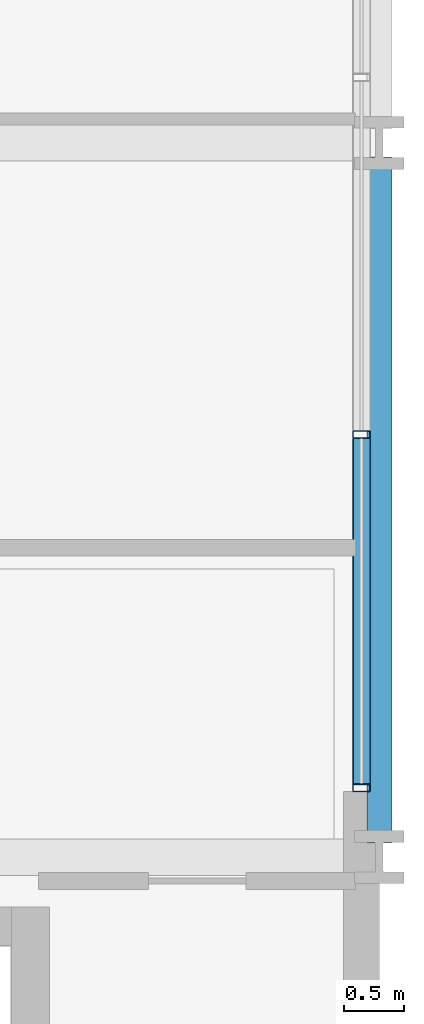
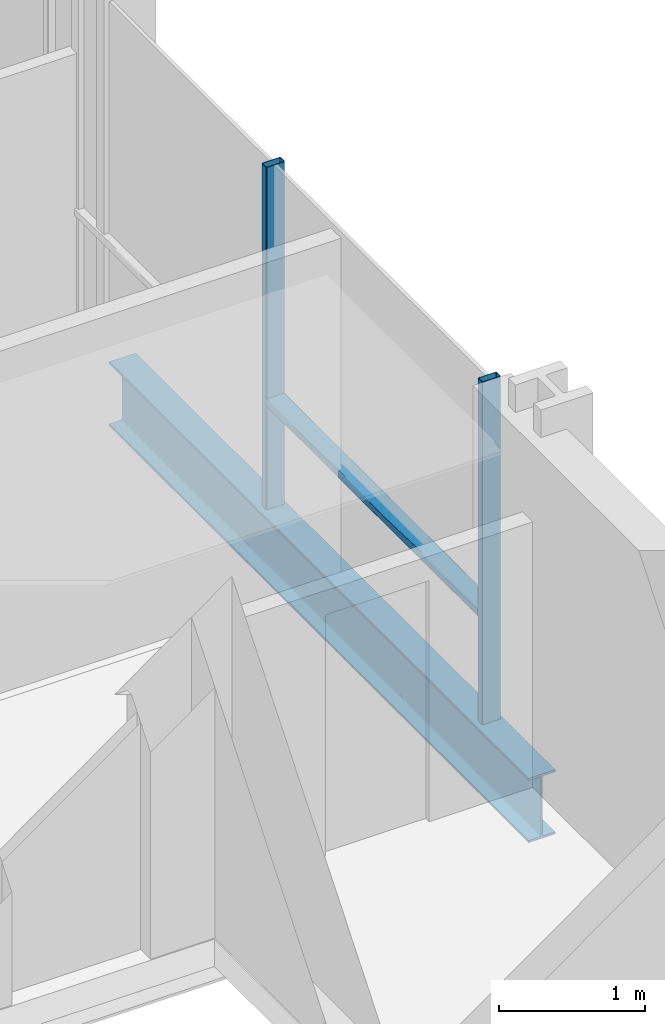
# One storey, part 15 of 40: 3 members, 1 beam, 1 element without a shape of its own.
"""IFC4 building model written with IfcOpenShell, lengths in metres."""

from ifc_helpers import new_model, si_unit, direction, frame, origin, origin_2d, place, context, subcontext, project, spatial, hollow_rectangle, i_section, extrude, material, layer, layer_set, material_profile, profile_set, type_object, element, aggregate, save


model = new_model("IFC4")

# Units and contexts
model_context = context("Model", 3, precision=1e-05, world=origin(), true_north=direction((0.0, 1.0)))
body_context = subcontext(model_context, "Body", "Model", "MODEL_VIEW")
ifc_project = project(units=[si_unit("LENGTHUNIT", "METRE"), si_unit("AREAUNIT", "SQUARE_METRE"), si_unit("VOLUMEUNIT", "CUBIC_METRE"), si_unit("PLANEANGLEUNIT", "RADIAN"), si_unit("MASSUNIT", "GRAM", prefix="KILO")], contexts=[model_context])

# Site, building, storey
site_placement = place(None, origin())
site = spatial("IfcSite", under=ifc_project, at=site_placement, CompositionType="ELEMENT")
building_placement = place(site_placement, origin())
building = spatial("IfcBuilding", under=site, at=building_placement, Name="Brevholm Reach", CompositionType="ELEMENT")
storey_placement = place(building_placement, frame((0.0, 0.0, 37.300048828125)))
storey = spatial("IfcBuildingStorey", under=building, at=storey_placement, Name="L09", CompositionType="ELEMENT", Elevation=37.300048828125)

# Beam
ifc_material_1 = material(Name="Structural Steel S355J2", Category="steel")
ifc_material_profile_1 = material_profile(ifc_material_1, i_section(OverallWidth=0.210693359375, OverallDepth=0.53955078125, WebThickness=0.01171875, FlangeThickness=0.018798828125, FilletRadius=0.0126953125, at=origin_2d()), Name="UKB 533x210x109")
ifc_profile_set_1 = profile_set([ifc_material_profile_1], Name="Structural Steel S355J2")
beam_type = type_object("IfcBeamType", Name="BM-SP539", PredefinedType="SPANDREL", material=ifc_profile_set_1)
beam_placement = place(storey_placement, frame((60.0, 10.1201171875, -0.499755859375), z_axis=(0.0, 1.0, 0.0), x_axis=(-1.0, 0.0, 0.0)))
element("IfcBeam", 1, at=beam_placement, inside=storey, type_object=beam_type, Name="L09 SP-01B Framing Beam", PredefinedType="SPANDREL", context=body_context, shape_type="SweptSolid", body=[
    extrude(i_section(OverallWidth=0.210693359375, OverallDepth=0.53955078125, WebThickness=0.01171875, FlangeThickness=0.018798828125, FilletRadius=0.0126953125, at=origin_2d()), origin(), (0.0, 0.0, 1.0), 5.759765625),
])

# Curtain wall, members
ifc_material_2 = material(Name="Dark Anodised Aluminium 6063-T6 and Solar-Control Glass", Category="aluminium")
ifc_layer = layer(ifc_material_2, 0.14990234375)
ifc_layer_set = layer_set([ifc_layer], Name="Dark Anodised Aluminium 6063-T6 and Solar-Control Glass")
curtain_wall_type = type_object("IfcCurtainWallType", Name="CW-01", PredefinedType="NOTDEFINED", material=ifc_layer_set)
curtain_wall_placement = place(storey_placement, origin())
curtain_wall = element("IfcCurtainWall", 2, at=curtain_wall_placement, inside=storey, type_object=curtain_wall_type, Name="L09 Curtain Wall CW-01", PredefinedType="NOTDEFINED")
ifc_material_3 = material(Name="Dark Anodised Aluminium 6063-T6", Category="aluminium")
ifc_material_profile_2 = material_profile(ifc_material_3, hollow_rectangle(XDim=0.06494140625, YDim=0.14990234375, WallThickness=0.0048828125, InnerFilletRadius=0.0048828125, OuterFilletRadius=0.010009765625, at=origin_2d()), Name="RHS 150x65x5")
ifc_profile_set_2 = profile_set([ifc_material_profile_2], Name="Dark Anodised Aluminium 6063-T6")
member_type_1 = type_object("IfcMemberType", Name="CWM-150", PredefinedType="MULLION", material=ifc_profile_set_2)
member_1_placement = place(storey_placement, frame((59.85009765625, 10.58251953125, 0.0), z_axis=(0.0, 0.0, 1.0), x_axis=(0.0, 1.0, 0.0)))
member_1 = element("IfcMember", 3, at=member_1_placement, type_object=member_type_1, Name="CM-150 Mullion 1", PredefinedType="MULLION", context=body_context, shape_type="SweptSolid", body=[
    extrude(hollow_rectangle(XDim=0.06494140625, YDim=0.14990234375, WallThickness=0.0048828125, InnerFilletRadius=0.0048828125, OuterFilletRadius=0.010009765625, at=origin_2d()), origin(), (0.0, 0.0, 1.0), 2.869873046875),
])
member_2_placement = place(storey_placement, frame((59.85009765625, 13.550048828125, 0.0), z_axis=(0.0, 0.0, 1.0), x_axis=(0.0, 1.0, 0.0)))
member_2 = element("IfcMember", 4, at=member_2_placement, type_object=member_type_1, Name="CM-150 Mullion 2", PredefinedType="MULLION", context=body_context, shape_type="SweptSolid", body=[
    extrude(hollow_rectangle(XDim=0.06494140625, YDim=0.14990234375, WallThickness=0.0048828125, InnerFilletRadius=0.0048828125, OuterFilletRadius=0.010009765625, at=origin_2d()), origin(), (0.0, 0.0, 1.0), 2.869873046875),
])
ifc_material_4 = material(Name="Dark Anodised Aluminium 6063-T6", Category="aluminium")
ifc_material_profile_3 = material_profile(ifc_material_4, hollow_rectangle(XDim=0.06494140625, YDim=0.14990234375, WallThickness=0.0048828125, InnerFilletRadius=0.0048828125, OuterFilletRadius=0.010009765625, at=origin_2d()), Name="RHS 150x65x5")
ifc_profile_set_3 = profile_set([ifc_material_profile_3], Name="Dark Anodised Aluminium 6063-T6")
member_type_2 = type_object("IfcMemberType", Name="CWT-150", PredefinedType="NOTDEFINED", material=ifc_profile_set_3)
member_3_placement = place(storey_placement, frame((59.85009765625, 10.614990234375, 0.89990234375), z_axis=(0.0, 1.0, 0.0), x_axis=(0.0, 0.0, 1.0)))
member_3 = element("IfcMember", 5, at=member_3_placement, type_object=member_type_2, Name="CT-150 Transom 1.1", ObjectType="TRANSOM", PredefinedType="USERDEFINED", context=body_context, shape_type="SweptSolid", body=[
    extrude(hollow_rectangle(XDim=0.06494140625, YDim=0.14990234375, WallThickness=0.0048828125, InnerFilletRadius=0.0048828125, OuterFilletRadius=0.010009765625, at=origin_2d()), origin(), (0.0, 0.0, 1.0), 2.902587890625),
])
aggregate(curtain_wall, [member_1, member_2, member_3])

save(model, "model.ifc")
